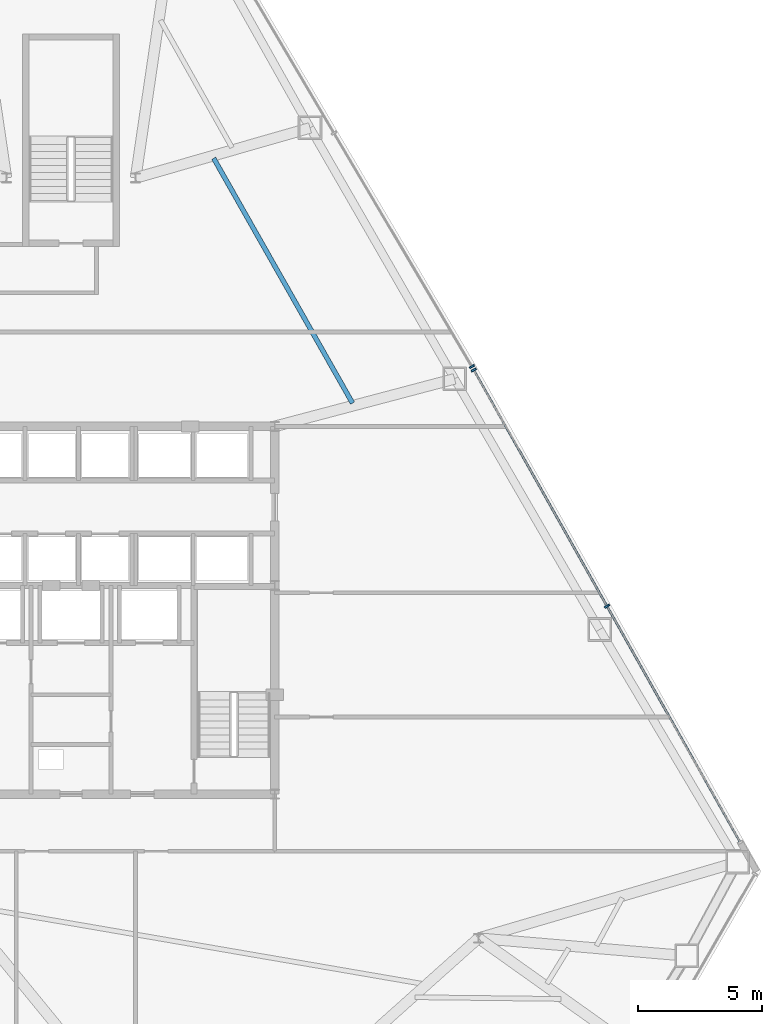
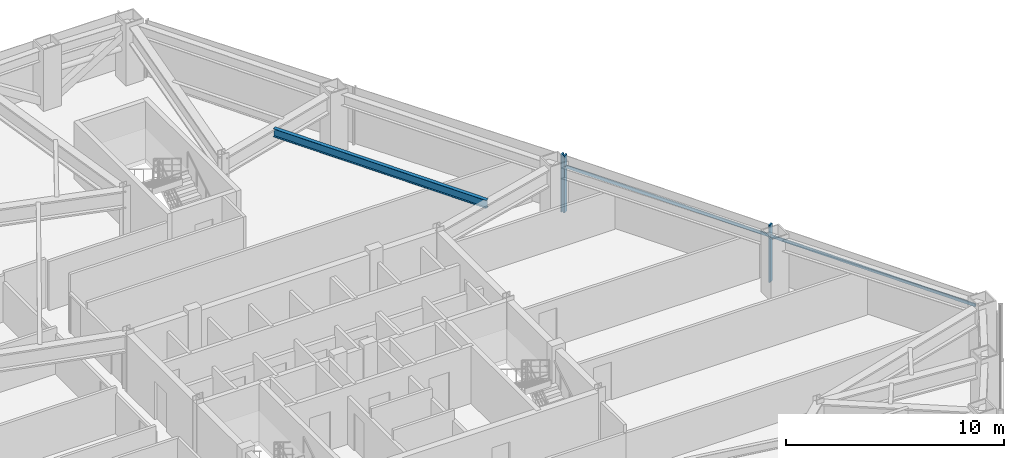
# One storey, part 7 of 13: 4 members, 1 beam, 2 elements without a shape of their own.
"""IFC4 building model written with IfcOpenShell, lengths in metres."""

from ifc_helpers import new_model, si_unit, direction, frame, origin, origin_2d, place, context, subcontext, project, spatial, rectangle, i_section, extrude, source, transform, mapped, material, layer, layer_set, material_profile, profile_set, type_object, type_shapes, element, aggregate, save


model = new_model("IFC4")

# Units and contexts
model_context = context("Model", 3, precision=1e-05, world=origin(), true_north=direction((0.0, 1.0)))
body_context = subcontext(model_context, "Body", "Model", "MODEL_VIEW")
ifc_project = project(units=[si_unit("LENGTHUNIT", "METRE"), si_unit("AREAUNIT", "SQUARE_METRE"), si_unit("VOLUMEUNIT", "CUBIC_METRE"), si_unit("PLANEANGLEUNIT", "RADIAN"), si_unit("MASSUNIT", "GRAM", prefix="KILO")], contexts=[model_context])

# Site, building, storey
site_placement = place(None, origin())
site = spatial("IfcSite", under=ifc_project, at=site_placement, CompositionType="ELEMENT")
building_placement = place(site_placement, origin())
building = spatial("IfcBuilding", under=site, at=building_placement, Name="Varakhsha Concourse Tower", CompositionType="ELEMENT")
storey_placement = place(building_placement, frame((0.0, 0.0, 116.0)))
storey = spatial("IfcBuildingStorey", under=building, at=storey_placement, Name="L33", CompositionType="ELEMENT", Elevation=116.0)

# Beam
ifc_material_1 = material(Name="Structural Steel ASTM A992 Grade 50", Category="steel")
ifc_material_profile_1 = material_profile(ifc_material_1, i_section(OverallWidth=0.19091796875, OverallDepth=0.45703125, WebThickness=0.009033203125, FlangeThickness=0.013916015625, at=origin_2d()), Name="W18X50")
ifc_profile_set_1 = profile_set([ifc_material_profile_1], Name="Structural Steel ASTM A992 Grade 50")
beam_type = type_object("IfcBeamType", Name="BM-JST-W18X50", PredefinedType="JOIST", material=ifc_profile_set_1)
beam_placement = place(storey_placement, frame((51.330322265625, 32.137451171875, 2.9814453125), z_axis=(-0.493248581572, 0.869888404784, 0.0), x_axis=(-0.869888404784, -0.493248581572, 0.0)))
element("IfcBeam", 1, at=beam_placement, inside=storey, type_object=beam_type, Name="BM-TJST-L33-17", PredefinedType="JOIST", context=body_context, shape_type="SweptSolid", body=[
    extrude(i_section(OverallWidth=0.19091796875, OverallDepth=0.45703125, WebThickness=0.009033203125, FlangeThickness=0.013916015625, at=origin_2d()), origin(), (0.0, 0.0, 1.0), 11.32666015625),
])

# Curtain wall, members
ifc_material_2 = material(Name="Anodised Bronze Architectural Aluminium AA 6063-T6", Category="aluminium")
ifc_layer = layer(ifc_material_2, 0.2099609375, Name="CW-SYS-04")
ifc_layer_set = layer_set([ifc_layer], Name="Anodised Bronze Architectural Aluminium AA 6063-T6")
curtain_wall_type = type_object("IfcCurtainWallType", Name="CW-SYS-04", PredefinedType="NOTDEFINED", material=ifc_layer_set)
curtain_wall_1_placement = place(storey_placement, origin())
curtain_wall_1 = element("IfcCurtainWall", 2, at=curtain_wall_1_placement, inside=storey, type_object=curtain_wall_type, Name="L33 Crystal Curtain Wall F8", PredefinedType="NOTDEFINED")
ifc_material_profile_2 = material_profile(ifc_material_2, rectangle(XDim=0.074951171875, YDim=0.219970703125, at=origin_2d()), Name="CWM-220X75")
ifc_profile_set_2 = profile_set([ifc_material_profile_2], Name="Anodised Bronze Architectural Aluminium AA 6063-T6")
member_type_1 = type_object("IfcMemberType", Name="CWM-220X75", PredefinedType="MULLION", material=ifc_profile_set_2)
shared_shape_1 = source(origin(), body_context, "Body", "SweptSolid", [
    extrude(rectangle(XDim=0.074951171875, YDim=0.219970703125, at=origin_2d()), origin(), (0.0, 0.0, 1.0), 3.2099609375),
])
type_shapes(member_type_1, [shared_shape_1])
member_1_placement = place(storey_placement, frame((56.214111328125, 33.470703125, 0.0), z_axis=(0.0, 0.0, 1.0), x_axis=(0.491137901342, -0.871081834195, 0.0)))
member_1 = element("IfcMember", 3, at=member_1_placement, type_object=member_type_1, Name="CW-L33-F8 Mullion 00", PredefinedType="MULLION", context=body_context, shape_type="MappedRepresentation", body=[
    mapped(shared_shape_1, transform((0.0, 0.0, 0.0), scale=1.0)),
])
member_2_placement = place(storey_placement, frame((61.575439453125, 23.962158203125, 0.0), z_axis=(0.0, 0.0, 1.0), x_axis=(0.491137901342, -0.871081834195, 0.0)))
member_2 = element("IfcMember", 4, at=member_2_placement, type_object=member_type_1, Name="CW-L33-F8 Mullion 01", PredefinedType="MULLION", context=body_context, shape_type="MappedRepresentation", body=[
    mapped(shared_shape_1, transform((0.0, 0.0, 0.0), scale=1.0)),
])

# Curtain wall, member
curtain_wall_2_placement = place(storey_placement, origin())
curtain_wall_2 = element("IfcCurtainWall", 5, at=curtain_wall_2_placement, inside=storey, type_object=curtain_wall_type, Name="L33 Crystal Curtain Wall F9", PredefinedType="NOTDEFINED")
member_3_placement = place(storey_placement, frame((56.135986328125, 33.6064453125, 0.0), z_axis=(0.0, 0.0, 1.0), x_axis=(0.508814554061, -0.860876152287, 0.0)))
member_3 = element("IfcMember", 6, at=member_3_placement, type_object=member_type_1, Name="CW-L33-F9 Mullion 02", PredefinedType="MULLION", context=body_context, shape_type="MappedRepresentation", body=[
    mapped(shared_shape_1, transform((0.0, 0.0, 0.0), scale=1.0)),
])
aggregate(curtain_wall_2, [member_3])

# Member
ifc_material_profile_3 = material_profile(ifc_material_2, rectangle(XDim=0.06494140625, YDim=0.159912109375, at=origin_2d()), Name="CWT-160X65")
ifc_profile_set_3 = profile_set([ifc_material_profile_3], Name="Anodised Bronze Architectural Aluminium AA 6063-T6")
member_type_2 = type_object("IfcMemberType", Name="CWT-160X65", PredefinedType="USERDEFINED", material=ifc_profile_set_3)
shared_shape_2 = source(origin(), body_context, "Body", "SweptSolid", [
    extrude(rectangle(XDim=0.06494140625, YDim=0.159912109375, at=origin_2d()), origin(), (0.0, 0.0, 1.0), 21.83154296875),
])
type_shapes(member_type_2, [shared_shape_2])
member_4_placement = place(storey_placement, frame((56.214111328125, 33.470703125, 2.56005859375), z_axis=(0.491141285327, -0.871079926211, 0.0), x_axis=(0.871079926211, 0.491141285327, 0.0)))
member_4 = element("IfcMember", 7, at=member_4_placement, type_object=member_type_2, Name="CW-L33-F8 Transom 01", ObjectType="TRANSOM", PredefinedType="USERDEFINED", context=body_context, shape_type="MappedRepresentation", body=[
    mapped(shared_shape_2, transform((0.0, 0.0, 0.0), scale=1.0)),
])

aggregate(curtain_wall_1, [member_1, member_2, member_4])

save(model, "model.ifc")
